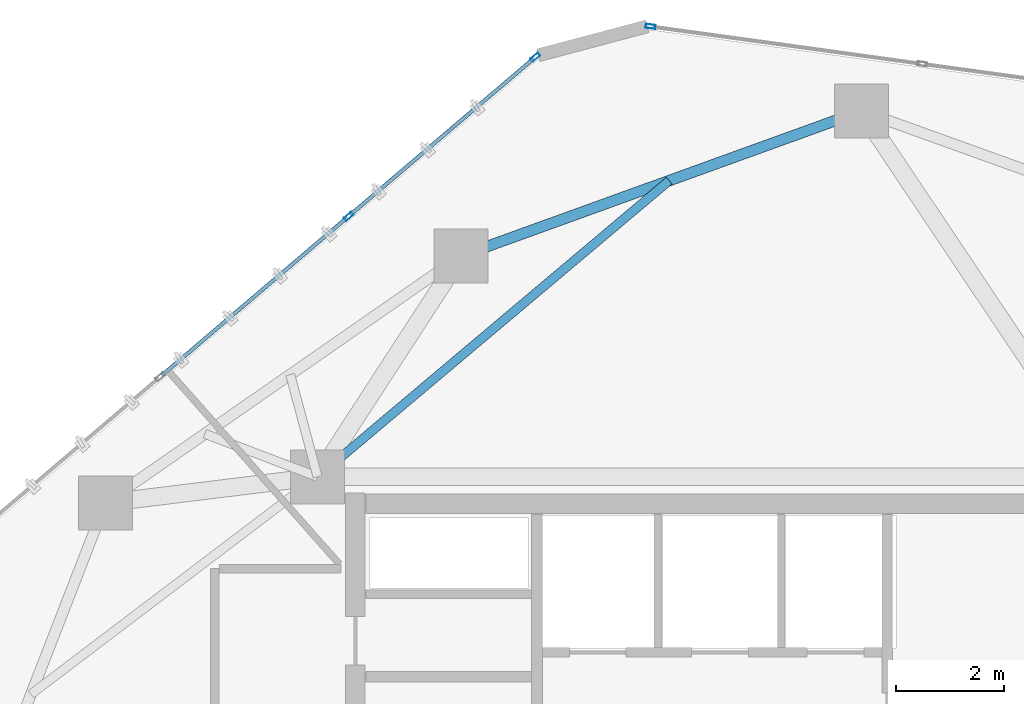
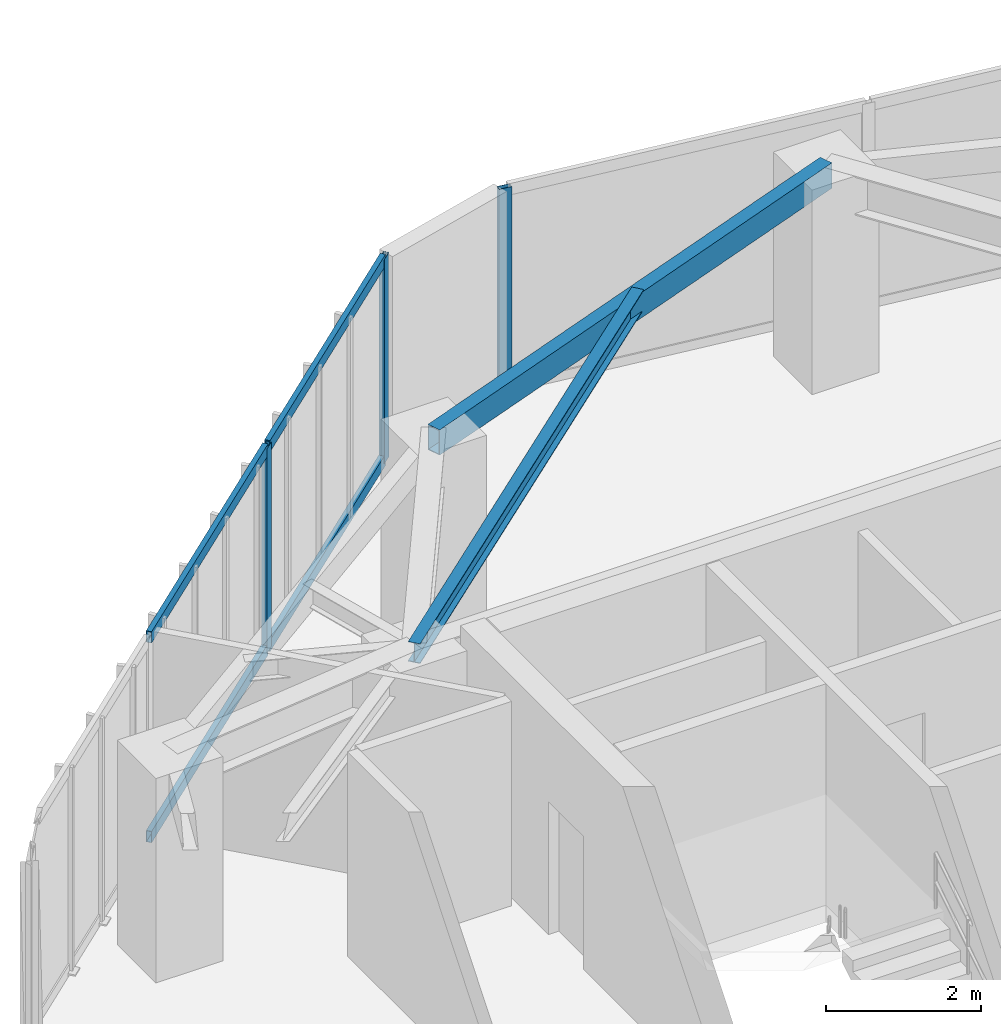
# One storey, part 13 of 20: 7 members, 2 beams, 2 elements without a shape of their own.
"""IFC4 building model written with IfcOpenShell, lengths in metres."""

import ifcopenshell
import ifcopenshell.guid

model = None  # the IFC model being written
_history = None  # IfcOwnerHistory: only IFC2X3 demands one
_inside = {}  # id of a spatial element -> (the spatial element, [elements in it])
_under = {}  # id of a project, library or spatial element -> (it, [spatial elements below it])
_declared = {}  # id of a project -> (the project, [libraries it declares])
_typed = {}  # id of a type object -> (the type object, [elements of that type])
_made_of = {}  # id of a material, layer set ... -> (it, [elements and type objects made of it])


def new_model(schema):
    """Start an empty IFC model of exactly this schema.

    Asked for "IFC4X3", IfcOpenShell would pick the latest addendum, in which some entities
    have other attributes; the version numbers below select the first issue.
    IFC2X3 requires an IfcOwnerHistory on every rooted entity: one is made here for all.
    """
    global model, _history
    if schema == "IFC4X3":
        model = ifcopenshell.file(schema_version=(4, 3, 0, 0))
    else:
        model = ifcopenshell.file(schema=schema)
    _inside.clear()
    _under.clear()
    _declared.clear()
    _typed.clear()
    _made_of.clear()
    _history = None
    if model.schema == "IFC2X3":
        org = make("IfcOrganization", Name="unknown")
        user = make(
            "IfcPersonAndOrganization",
            ThePerson=make("IfcPerson", FamilyName="unknown"),
            TheOrganization=org,
        )
        app = make(
            "IfcApplication",
            ApplicationDeveloper=org,
            Version="unknown",
            ApplicationFullName="unknown",
            ApplicationIdentifier="unknown",
        )
        _history = make(
            "IfcOwnerHistory",
            OwningUser=user,
            OwningApplication=app,
            ChangeAction="ADDED",
            CreationDate=0,
        )
    return model


def make(cls, **values):
    """One entity of the class cls with the attributes given. An attribute that is None is left unset."""
    return model.create_entity(
        cls, **{name: value for name, value in values.items() if value is not None}
    )


def rooted(cls, **values):
    """An entity with a GlobalId (a new one), such as an element, a storey or a relation."""
    return make(cls, GlobalId=ifcopenshell.guid.new(), OwnerHistory=_history, **values)


def si_unit(unit_type, name, prefix=None):
    """IfcSIUnit, for example si_unit("LENGTHUNIT", "METRE", prefix="MILLI")."""
    return make("IfcSIUnit", UnitType=unit_type, Prefix=prefix, Name=name)


def assignment(units):
    """IfcUnitAssignment: the units of a project."""
    return None if units is None else make("IfcUnitAssignment", Units=units)


def point(xyz):
    """IfcCartesianPoint."""
    return None if xyz is None else make("IfcCartesianPoint", Coordinates=xyz)


def direction(xyz):
    """IfcDirection."""
    return None if xyz is None else make("IfcDirection", DirectionRatios=xyz)


def frame(location, z_axis=None, x_axis=None):
    """IfcAxis2Placement3D, a coordinate frame: its origin and axes. An axis left out is left unset."""
    return make(
        "IfcAxis2Placement3D",
        Location=point(location),
        Axis=direction(z_axis),
        RefDirection=direction(x_axis),
    )


def frame_2d(location, x_axis=None):
    """IfcAxis2Placement2D, a coordinate frame in the plane: its origin and x axis."""
    return make(
        "IfcAxis2Placement2D", Location=point(location), RefDirection=direction(x_axis)
    )


def origin():
    """The frame at (0, 0, 0) with its axes left unset."""
    return frame((0.0, 0.0, 0.0))


def origin_2d():
    """The frame at (0, 0) in the plane with its x axis left unset."""
    return frame_2d((0.0, 0.0))


def place(relative_to, where):
    """IfcLocalPlacement: puts the frame where relative to a parent placement (None: the world)."""
    return make(
        "IfcLocalPlacement", PlacementRelTo=relative_to, RelativePlacement=where
    )


def context(
    kind, dimensions, precision=None, world=None, true_north=None, identifier=None
):
    """IfcGeometricRepresentationContext, for example the 3D "Model" context."""
    return make(
        "IfcGeometricRepresentationContext",
        ContextIdentifier=identifier,
        ContextType=kind,
        CoordinateSpaceDimension=dimensions,
        Precision=precision,
        WorldCoordinateSystem=world,
        TrueNorth=true_north,
    )


def subcontext(parent, identifier, kind, view, scale=None):
    """IfcGeometricRepresentationSubContext, for example "Body" below "Model"."""
    return make(
        "IfcGeometricRepresentationSubContext",
        ContextIdentifier=identifier,
        ContextType=kind,
        ParentContext=parent,
        TargetScale=scale,
        TargetView=view,
    )


def project(units=None, contexts=None):
    """IfcProject with its units and contexts."""
    return rooted(
        "IfcProject",
        Name="project",
        RepresentationContexts=contexts,
        UnitsInContext=assignment(units),
    )


def spatial(cls, under=None, at=None, **own):
    """A site, building, storey or space (cls), placed at a placement, below another one or the project."""
    s = rooted(cls, ObjectPlacement=at, **own)
    if under is not None:
        _under.setdefault(under.id(), (under, []))[1].append(s)
    return s


def profile(cls, at=None, kind="AREA", **sizes):
    """A parametric profile (cls). Its sizes go by their IFC names, for example OverallWidth=200.0."""
    return make(cls, ProfileType=kind, Position=at, **sizes)


def hollow_rectangle(**sizes):
    """IfcRectangleHollowProfileDef."""
    return profile("IfcRectangleHollowProfileDef", **sizes)


def i_section(**sizes):
    """IfcIShapeProfileDef."""
    return profile("IfcIShapeProfileDef", **sizes)


def extrude(swept, where, along, depth):
    """IfcExtrudedAreaSolid: the profile swept, set in the frame where, extruded along a direction by depth."""
    return make(
        "IfcExtrudedAreaSolid",
        SweptArea=swept,
        Position=where,
        ExtrudedDirection=direction(along),
        Depth=depth,
    )


def shape(context_of_items, identifier, shape_type, items):
    """IfcShapeRepresentation: the items that make up one representation, for example the "Body"."""
    return make(
        "IfcShapeRepresentation",
        ContextOfItems=context_of_items,
        RepresentationIdentifier=identifier,
        RepresentationType=shape_type,
        Items=items,
    )


def source(mapping_origin, context_of_items, identifier, shape_type, items):
    """IfcRepresentationMap: a shape defined once, which mapped items show again and again."""
    return make(
        "IfcRepresentationMap",
        MappingOrigin=mapping_origin,
        MappedRepresentation=shape(context_of_items, identifier, shape_type, items),
    )


def transform(
    local_origin,
    x_axis=None,
    y_axis=None,
    z_axis=None,
    scale=None,
    scale2=None,
    scale3=None,
    uniform=True,
):
    """IfcCartesianTransformationOperator3D, or its non-uniform kind. x_axis, y_axis, z_axis: its Axis1, 2, 3."""
    if uniform:
        return make(
            "IfcCartesianTransformationOperator3D",
            Axis1=direction(x_axis),
            Axis2=direction(y_axis),
            LocalOrigin=point(local_origin),
            Scale=scale,
            Axis3=direction(z_axis),
        )
    return make(
        "IfcCartesianTransformationOperator3DnonUniform",
        Axis1=direction(x_axis),
        Axis2=direction(y_axis),
        LocalOrigin=point(local_origin),
        Scale=scale,
        Axis3=direction(z_axis),
        Scale2=scale2,
        Scale3=scale3,
    )


def mapped(mapping_source, mapping_target):
    """IfcMappedItem: shows the shape of a source again, moved by a transform."""
    return make(
        "IfcMappedItem", MappingSource=mapping_source, MappingTarget=mapping_target
    )


def material(Name=None, Category=None):
    """IfcMaterial."""
    return make("IfcMaterial", Name=Name, Category=Category)


def layer(
    of_material, thickness, ventilated=None, Name=None, Category=None, Priority=None
):
    """IfcMaterialLayer: one layer of a wall or slab, of a material (None: an air gap)."""
    return make(
        "IfcMaterialLayer",
        Material=of_material,
        LayerThickness=thickness,
        IsVentilated=ventilated,
        Name=Name,
        Category=Category,
        Priority=Priority,
    )


def layer_set(layers, Name=None):
    """IfcMaterialLayerSet."""
    return make("IfcMaterialLayerSet", MaterialLayers=layers, LayerSetName=Name)


def material_profile(
    of_material, cross_section, Name=None, Category=None, Priority=None
):
    """IfcMaterialProfile: a cross section and its material."""
    return make(
        "IfcMaterialProfile",
        Name=Name,
        Material=of_material,
        Profile=cross_section,
        Priority=Priority,
        Category=Category,
    )


def profile_set(profiles, Name=None, composite=None):
    """IfcMaterialProfileSet."""
    return make(
        "IfcMaterialProfileSet",
        Name=Name,
        MaterialProfiles=profiles,
        CompositeProfile=composite,
    )


def made_of(thing, what):
    """Note that an element or type object is made of a material, layer set ...; save() writes the relation."""
    if what is not None:
        _made_of.setdefault(what.id(), (what, []))[1].append(thing)
    return thing


def type_object(cls, material=None, **own):
    """A type object (cls), such as IfcWallType, which elements share."""
    return made_of(rooted(cls, **own), material)


def type_shapes(of_type, sources):
    """Give a type object the sources (RepresentationMaps) that its elements show as mapped items."""
    of_type.RepresentationMaps = sources


def element(
    cls,
    number,
    at=None,
    inside=None,
    cuts=None,
    type_object=None,
    material=None,
    context=None,
    identifier="Body",
    shape_type=None,
    held_by="IfcProductDefinitionShape",
    body=None,
    shapes=None,
    **own,
):
    """One element of the class cls, such as IfcWall. Its Tag is "e" and its number.

    at: its placement. inside: the storey or other place that contains it. cuts: it is an
    opening in that element (IfcRelVoidsElement). A single representation is given by context,
    identifier, shape_type and body (its items); several are given by shapes. held_by: the class
    of the entity that holds the representations. save() writes the other relations.
    """
    e = rooted(cls, Tag="e%d" % number, ObjectPlacement=at, **own)
    if body is not None:
        shapes = [shape(context, identifier, shape_type, body)]
    if shapes is not None:
        e.Representation = make(held_by, Representations=shapes)
    if inside is not None:
        _inside.setdefault(inside.id(), (inside, []))[1].append(e)
    if cuts is not None:
        rooted(
            "IfcRelVoidsElement", RelatingBuildingElement=cuts, RelatedOpeningElement=e
        )
    if type_object is not None:
        _typed.setdefault(type_object.id(), (type_object, []))[1].append(e)
    return made_of(e, material)


def aggregate(whole, parts):
    """IfcRelAggregates: a whole, such as a stair, and the parts it consists of."""
    return rooted("IfcRelAggregates", RelatingObject=whole, RelatedObjects=parts)


def save(model, path):
    """Write the relations noted so far, then the file.

    IfcRelAggregates (storeys below a building ...), IfcRelContainedInSpatialStructure (elements
    in a storey), IfcRelDefinesByType, IfcRelAssociatesMaterial and IfcRelDeclares: one each for
    every whole, place, type object, material and project.
    """
    for whole, parts in _under.values():
        aggregate(whole, parts)
    for where, things in _inside.values():
        rooted(
            "IfcRelContainedInSpatialStructure",
            RelatedElements=things,
            RelatingStructure=where,
        )
    for kind, things in _typed.values():
        rooted("IfcRelDefinesByType", RelatedObjects=things, RelatingType=kind)
    for what, things in _made_of.values():
        rooted("IfcRelAssociatesMaterial", RelatedObjects=things, RelatingMaterial=what)
    for by, libraries in _declared.values():
        rooted("IfcRelDeclares", RelatingContext=by, RelatedDefinitions=libraries)
    model.write(path)


model = new_model("IFC4")

# Units and contexts
model_context = context("Model", 3, precision=1e-05, world=origin(), true_north=direction((0.0, 1.0)))
body_context = subcontext(model_context, "Body", "Model", "MODEL_VIEW")
ifc_project = project(units=[si_unit("LENGTHUNIT", "METRE"), si_unit("AREAUNIT", "SQUARE_METRE"), si_unit("VOLUMEUNIT", "CUBIC_METRE"), si_unit("PLANEANGLEUNIT", "RADIAN"), si_unit("MASSUNIT", "GRAM", prefix="KILO")], contexts=[model_context])

# Site, building, storey
site_placement = place(None, origin())
site = spatial("IfcSite", under=ifc_project, at=site_placement, CompositionType="ELEMENT")
building_placement = place(site_placement, origin())
building = spatial("IfcBuilding", under=site, at=building_placement, Name="Talar Marvaseh", CompositionType="ELEMENT")
storey_placement = place(building_placement, frame((0.0, 0.0, 211.699951171875)))
storey = spatial("IfcBuildingStorey", under=building, at=storey_placement, Name="L55", CompositionType="ELEMENT", Elevation=211.699951171875)

# Beams
ifc_material_1 = material(Name="Steel S355", Category="steel")
ifc_material_profile_1 = material_profile(ifc_material_1, hollow_rectangle(XDim=0.199951171875, YDim=0.39990234375, WallThickness=0.013916015625, at=origin_2d()), Name="RHS400x200x14")
ifc_profile_set_1 = profile_set([ifc_material_profile_1], Name="Steel S355")
beam_type_1 = type_object("IfcBeamType", Name="Zone 3 Perimeter Spandrel Beam RHS400x200x14", PredefinedType="SPANDREL", material=ifc_profile_set_1)
beam_1_placement = place(storey_placement, frame((21.35205078125, 40.986083984375, 3.030029296875), z_axis=(0.940368006783, 0.340158803824, 0.0), x_axis=(-0.340158803824, 0.940368006783, 0.0)))
element("IfcBeam", 1, at=beam_1_placement, inside=storey, type_object=beam_type_1, Name="L55 Zone 3 Perimeter Spandrel Beam RHS400x200x14", PredefinedType="SPANDREL", context=body_context, shape_type="SweptSolid", body=[
    extrude(hollow_rectangle(XDim=0.199951171875, YDim=0.39990234375, WallThickness=0.013916015625, at=origin_2d()), origin(), (0.0, 0.0, 1.0), 7.88427734375),
])
ifc_material_profile_2 = material_profile(ifc_material_1, i_section(OverallWidth=0.166015625, OverallDepth=0.31298828125, WebThickness=0.006591796875, FlangeThickness=0.01123046875, at=origin_2d()), Name="W310x45")
ifc_profile_set_2 = profile_set([ifc_material_profile_2], Name="Steel S355")
beam_type_2 = type_object("IfcBeamType", Name="Zone 3 Secondary Floor Joist W310x45", PredefinedType="JOIST", material=ifc_profile_set_2)
beam_2_placement = place(storey_placement, frame((25.207275390625, 42.380615234375, 3.073486328125), z_axis=(-0.76486133839, -0.644194949558, 0.0), x_axis=(0.644194949558, -0.76486133839, 0.0)))
element("IfcBeam", 2, at=beam_2_placement, inside=storey, type_object=beam_type_2, Name="L55 Zone 3 Secondary Floor Joist W310x45", PredefinedType="JOIST", context=body_context, shape_type="SweptSolid", body=[
    extrude(i_section(OverallWidth=0.166015625, OverallDepth=0.31298828125, WebThickness=0.006591796875, FlangeThickness=0.01123046875, at=origin_2d()), origin(), (0.0, 0.0, 1.0), 8.5078125),
])

# Curtain wall, members
ifc_material_2 = material(Name="Architectural Aluminium", Category="aluminium")
ifc_layer = layer(ifc_material_2, 0.18994140625)
ifc_layer_set = layer_set([ifc_layer], Name="Architectural Aluminium")
curtain_wall_type = type_object("IfcCurtainWallType", Name="Unitised Solar Atelier Curtain Wall Z3", PredefinedType="NOTDEFINED", material=ifc_layer_set)
curtain_wall_1_placement = place(storey_placement, origin())
curtain_wall_1 = element("IfcCurtainWall", 3, at=curtain_wall_1_placement, inside=storey, type_object=curtain_wall_type, Name="L55 Unitised Solar Atelier Curtain Wall Z3", PredefinedType="NOTDEFINED")
ifc_material_profile_3 = material_profile(ifc_material_2, hollow_rectangle(XDim=0.074951171875, YDim=0.179931640625, WallThickness=0.0048828125, at=origin_2d()), Name="RHS180x75x5")
ifc_profile_set_3 = profile_set([ifc_material_profile_3], Name="Architectural Aluminium")
member_type_1 = type_object("IfcMemberType", Name="Unitised Curtain Wall Standard Mullion RHS180x75x5", PredefinedType="MULLION", material=ifc_profile_set_3)
shared_shape_1 = source(origin(), body_context, "Body", "SweptSolid", [
    extrude(hollow_rectangle(XDim=0.074951171875, YDim=0.179931640625, WallThickness=0.0048828125, at=origin_2d()), origin(), (0.0, 0.0, 1.0), 3.22998046875),
])
type_shapes(member_type_1, [shared_shape_1])
member_1_placement = place(storey_placement, frame((19.27490234375, 41.719970703125, 0.0), z_axis=(0.0, 0.0, 1.0), x_axis=(-0.648545540162, 0.761175855066, 0.0)))
member_1 = element("IfcMember", 4, at=member_1_placement, type_object=member_type_1, Name="CW-Z3 mullion 3", PredefinedType="MULLION", context=body_context, shape_type="MappedRepresentation", body=[
    mapped(shared_shape_1, transform((0.0, 0.0, 0.0), x_axis=(1.0, 0.0, 0.0), y_axis=(0.0, 1.0, 0.0), z_axis=(0.0, 0.0, 1.0), scale=1.0)),
])
member_2_placement = place(storey_placement, frame((22.73046875, 44.6640625, 0.0), z_axis=(0.0, 0.0, 1.0), x_axis=(-0.648545540162, 0.761175855066, 0.0)))
member_2 = element("IfcMember", 5, at=member_2_placement, type_object=member_type_1, Name="CW-Z3 mullion 4", PredefinedType="MULLION", context=body_context, shape_type="MappedRepresentation", body=[
    mapped(shared_shape_1, transform((0.0, 0.0, 0.0), x_axis=(1.0, 0.0, 0.0), y_axis=(0.0, 1.0, 0.0), z_axis=(0.0, 0.0, 1.0), scale=1.0)),
])

# Curtain wall, member
curtain_wall_2_placement = place(storey_placement, origin())
curtain_wall_2 = element("IfcCurtainWall", 6, at=curtain_wall_2_placement, inside=storey, type_object=curtain_wall_type, Name="L55 Unitised Solar Atelier Curtain Wall Z3", PredefinedType="NOTDEFINED")
member_3_placement = place(storey_placement, frame((24.86181640625, 45.233154296875, 0.0), z_axis=(0.0, 0.0, 1.0), x_axis=(0.136514738392, 0.990638039953, 0.0)))
member_3 = element("IfcMember", 7, at=member_3_placement, type_object=member_type_1, Name="CW-Z3 mullion 1", PredefinedType="MULLION", context=body_context, shape_type="MappedRepresentation", body=[
    mapped(shared_shape_1, transform((0.0, 0.0, 0.0), x_axis=(1.0, 0.0, 0.0), y_axis=(0.0, 1.0, 0.0), z_axis=(0.0, 0.0, 1.0), scale=1.0)),
])
aggregate(curtain_wall_2, [member_3])

# Member
ifc_material_profile_4 = material_profile(ifc_material_2, hollow_rectangle(XDim=0.074951171875, YDim=0.179931640625, WallThickness=0.0048828125, at=origin_2d()), Name="RHS180x75x5")
ifc_profile_set_4 = profile_set([ifc_material_profile_4], Name="Architectural Aluminium")
member_type_2 = type_object("IfcMemberType", Name="Unitised Curtain Wall Transom RHS180x75x5", PredefinedType="USERDEFINED", material=ifc_profile_set_4)
shared_shape_2 = source(origin(), body_context, "Body", "SweptSolid", [
    extrude(hollow_rectangle(XDim=0.074951171875, YDim=0.179931640625, WallThickness=0.0048828125, at=origin_2d()), origin(), (0.0, 0.0, 1.0), 4.464599609375),
])
member_4_placement = place(storey_placement, frame((19.303466796875, 41.744384765625, 0.03759765625), z_axis=(0.761183241433, 0.648536870934, 0.0), x_axis=(-0.648536870934, 0.761183241433, 0.0)))
member_4 = element("IfcMember", 8, at=member_4_placement, type_object=member_type_2, Name="CW-Z3 transom 3.1", ObjectType="TRANSOM", PredefinedType="USERDEFINED", context=body_context, shape_type="MappedRepresentation", body=[
    mapped(shared_shape_2, transform((0.0, 0.0, 0.0), x_axis=(1.0, 0.0, 0.0), y_axis=(0.0, 1.0, 0.0), z_axis=(0.0, 0.0, 1.0), scale=1.0)),
])

member_5_placement = place(storey_placement, frame((19.303466796875, 41.744384765625, 3.192626953125), z_axis=(0.761183241433, 0.648536870934, 0.0), x_axis=(-0.648536870934, 0.761183241433, 0.0)))
member_5 = element("IfcMember", 9, at=member_5_placement, type_object=member_type_2, Name="CW-Z3 transom 3.2", ObjectType="TRANSOM", PredefinedType="USERDEFINED", context=body_context, shape_type="MappedRepresentation", body=[
    mapped(shared_shape_2, transform((0.0, 0.0, 0.0), x_axis=(1.0, 0.0, 0.0), y_axis=(0.0, 1.0, 0.0), z_axis=(0.0, 0.0, 1.0), scale=1.0)),
])

shared_shape_3 = source(origin(), body_context, "Body", "SweptSolid", [
    extrude(hollow_rectangle(XDim=0.074951171875, YDim=0.179931640625, WallThickness=0.0048828125, at=origin_2d()), origin(), (0.0, 0.0, 1.0), 4.502197265625),
])
type_shapes(member_type_2, [shared_shape_2, shared_shape_3])
member_6_placement = place(storey_placement, frame((15.8193359375, 38.775634765625, 0.03759765625), z_axis=(0.761174818329, 0.648546756943, 0.0), x_axis=(-0.648546756943, 0.761174818329, 0.0)))
member_6 = element("IfcMember", 10, at=member_6_placement, type_object=member_type_2, Name="CW-Z3 transom 2.1", ObjectType="TRANSOM", PredefinedType="USERDEFINED", context=body_context, shape_type="MappedRepresentation", body=[
    mapped(shared_shape_3, transform((0.0, 0.0, 0.0), x_axis=(1.0, 0.0, 0.0), y_axis=(0.0, 1.0, 0.0), z_axis=(0.0, 0.0, 1.0), scale=1.0)),
])

member_7_placement = place(storey_placement, frame((15.8193359375, 38.775634765625, 3.192626953125), z_axis=(0.761174818329, 0.648546756943, 0.0), x_axis=(-0.648546756943, 0.761174818329, 0.0)))
member_7 = element("IfcMember", 11, at=member_7_placement, type_object=member_type_2, Name="CW-Z3 transom 2.2", ObjectType="TRANSOM", PredefinedType="USERDEFINED", context=body_context, shape_type="MappedRepresentation", body=[
    mapped(shared_shape_3, transform((0.0, 0.0, 0.0), x_axis=(1.0, 0.0, 0.0), y_axis=(0.0, 1.0, 0.0), z_axis=(0.0, 0.0, 1.0), scale=1.0)),
])

aggregate(curtain_wall_1, [member_1, member_2, member_6, member_7, member_4, member_5])

save(model, "model.ifc")
